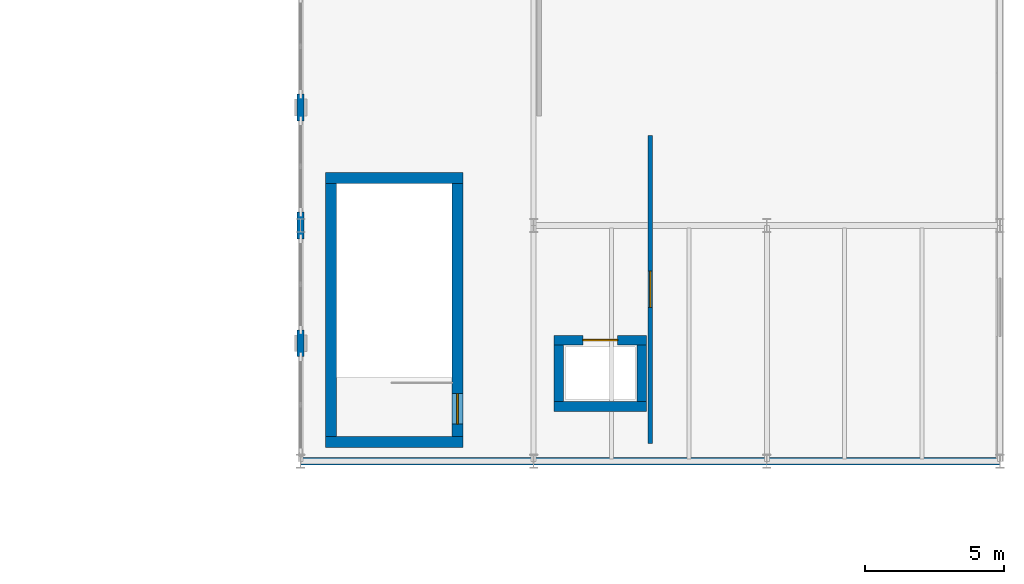
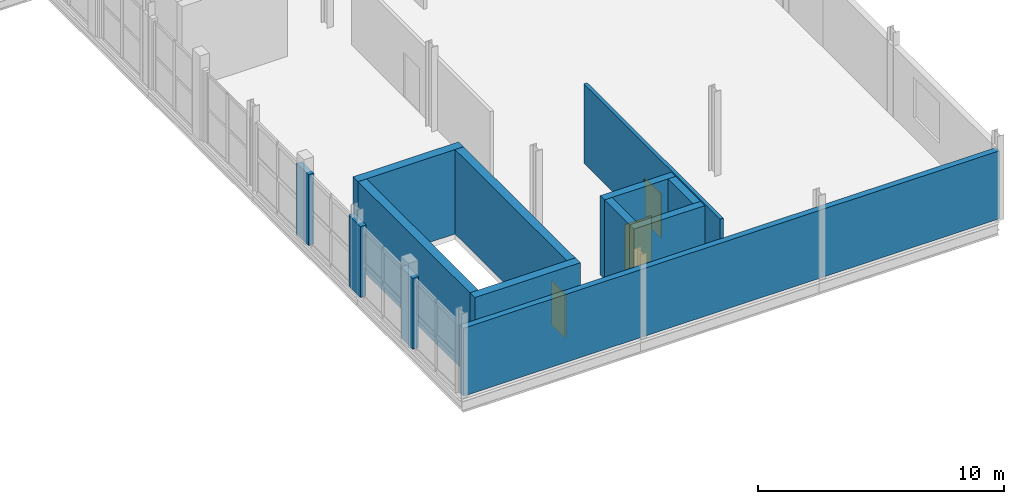
# One storey, part 30 of 45: 13 walls, 3 doors, 3 openings.
"""IFC4 building model written with IfcOpenShell, lengths in metres."""

from ifc_helpers import new_model, si_unit, direction, frame, frame_2d, origin, place, context, subcontext, project, spatial, rectangle, extrude, material, layer, layer_set, type_object, element, fill, save


model = new_model("IFC4")

# Units and contexts
model_context = context("Model", 3, precision=1e-05, world=origin(), true_north=direction((0.0, 1.0)))
body_context = subcontext(model_context, "Body", "Model", "MODEL_VIEW")
ifc_project = project(units=[si_unit("LENGTHUNIT", "METRE"), si_unit("AREAUNIT", "SQUARE_METRE"), si_unit("VOLUMEUNIT", "CUBIC_METRE"), si_unit("PLANEANGLEUNIT", "RADIAN"), si_unit("MASSUNIT", "GRAM", prefix="KILO")], contexts=[model_context])

# Site, building, storey
site_placement = place(None, origin())
site = spatial("IfcSite", under=ifc_project, at=site_placement, CompositionType="ELEMENT")
building_placement = place(site_placement, origin())
building = spatial("IfcBuilding", under=site, at=building_placement, Name="Sefraquen Railside Congress Hotel", CompositionType="ELEMENT")
storey_placement = place(building_placement, frame((0.0, 0.0, 20.39990234375)))
storey = spatial("IfcBuildingStorey", under=building, at=storey_placement, Name="L04", CompositionType="ELEMENT", Elevation=20.39990234375)

# Wall, opening, door
ifc_material_1 = material(Name="Concrete C50/60", Category="concrete")
ifc_layer_1 = layer(ifc_material_1, 0.35009765625)
ifc_layer_set_1 = layer_set([ifc_layer_1], Name="Concrete C50/60")
wall_type_1 = type_object("IfcWallType", Name="TW-CW-350", PredefinedType="SHEAR", material=ifc_layer_set_1)
wall_1_placement = place(storey_placement, frame((112.330078125, 58.364990234375, 0.0), z_axis=(0.0, 0.0, 1.0), x_axis=(1.0, 0.0, 0.0)))
wall_1 = element("IfcWall", 1, at=wall_1_placement, inside=storey, type_object=wall_type_1, Name="Lift SL-01 shaft wall N L04", PredefinedType="SHEAR", context=body_context, shape_type="SweptSolid", body=[
    extrude(rectangle(XDim=3.33984375, YDim=0.35009765625, at=frame_2d((1.669921875, 0.0))), origin(), (0.0, 0.0, 1.0), 3.940185546875),
])
opening_1_placement = place(wall_1_placement, frame((1.044921875, 0.0, 0.0)))
opening_1 = element("IfcOpeningElement", 2, at=opening_1_placement, cuts=wall_1, Name="Opening LD-02", PredefinedType="OPENING", context=body_context, shape_type="SweptSolid", body=[
    extrude(rectangle(XDim=1.25, YDim=2.25, at=frame_2d((0.625, 1.125))), frame((0.0, 0.18505859375, 0.0), z_axis=(0.0, -1.0, 0.0), x_axis=(1.0, 0.0, 0.0)), (0.0, 0.0, 1.0), 0.3701171875),
])
ifc_material_2 = material(Name="Brushed stainless steel", Category="steel")
door_type_1 = type_object("IfcDoorType", Name="TD-LD-02", OperationType="NOTDEFINED", PredefinedType="DOOR", material=ifc_material_2)
door_1_placement = place(opening_1_placement, origin())
door_1 = element("IfcDoor", 3, at=door_1_placement, inside=storey, type_object=door_type_1, Name="Lift landing door SL-01 L04", OperationType="SLIDING_TO_LEFT", OverallHeight=2.25, OverallWidth=1.25, PredefinedType="DOOR", context=body_context, shape_type="SweptSolid", body=[
    extrude(rectangle(XDim=1.25, YDim=2.25, at=frame_2d((0.625, 1.125))), frame((0.0, 0.02490234375, 0.0), z_axis=(0.0, -1.0, 0.0), x_axis=(1.0, 0.0, 0.0)), (0.0, 0.0, 1.0), 0.050048828125),
])
fill(opening_1, door_1)

# Walls
wall_2_placement = place(storey_placement, frame((112.330078125, 55.97509765625, 0.0), z_axis=(0.0, 0.0, 1.0), x_axis=(1.0, 0.0, 0.0)))
element("IfcWall", 4, at=wall_2_placement, inside=storey, type_object=wall_type_1, Name="Lift SL-01 shaft wall S L04", PredefinedType="SHEAR", context=body_context, shape_type="SweptSolid", body=[
    extrude(rectangle(XDim=3.33984375, YDim=0.35009765625, at=frame_2d((1.669921875, 0.0))), origin(), (0.0, 0.0, 1.0), 3.940185546875),
])
for number, where, z_axis, x_axis, name in (
    (5, (112.5048828125, 56.14990234375, 0.0), (0.0, 0.0, 1.0), (0.0, 1.0, 0.0), "Lift SL-01 shaft wall W L04"),
    (6, (115.4951171875, 56.14990234375, 0.0), (0.0, 0.0, 1.0), (0.0, 1.0, 0.0), "Lift SL-01 shaft wall E L04"),
):
    element("IfcWall", number, at=place(storey_placement, frame(where, z_axis=z_axis, x_axis=x_axis)), inside=storey, type_object=wall_type_1, Name=name, PredefinedType="SHEAR", context=body_context, shape_type="SweptSolid", body=[
        extrude(rectangle(XDim=2.0400390625, YDim=0.35009765625, at=frame_2d((1.02001953125, 0.0))), origin(), (0.0, 0.0, 1.0), 3.940185546875),
    ])
ifc_layer_2 = layer(ifc_material_1, 0.39990234375)
ifc_layer_set_2 = layer_set([ifc_layer_2], Name="Concrete C50/60")
wall_type_2 = type_object("IfcWallType", Name="TW-CW-400", PredefinedType="SHEAR", material=ifc_layer_set_2)
for number, where, z_axis, x_axis, name in (
    (7, (104.10009765625, 64.2119140625, 0.0), (0.0, 0.0, 1.0), (1.0, 0.0, 0.0), "Core shear wall ST-M02 N L04"),
    (8, (104.10009765625, 54.699951171875, 0.0), (0.0, 0.0, 1.0), (1.0, 0.0, 0.0), "Core shear wall ST-M02 S L04"),
):
    element("IfcWall", number, at=place(storey_placement, frame(where, z_axis=z_axis, x_axis=x_axis)), inside=storey, type_object=wall_type_2, Name=name, PredefinedType="SHEAR", context=body_context, shape_type="SweptSolid", body=[
        extrude(rectangle(XDim=4.9599609375, YDim=0.39990234375, at=frame_2d((2.47998046875, 0.0))), origin(), (0.0, 0.0, 1.0), 4.2001953125),
    ])
wall_3_placement = place(storey_placement, frame((104.300048828125, 54.89990234375, 0.0), z_axis=(0.0, 0.0, 1.0), x_axis=(0.0, 1.0, 0.0)))
element("IfcWall", 9, at=wall_3_placement, inside=storey, type_object=wall_type_2, Name="Core shear wall ST-M02 W L04", PredefinedType="SHEAR", context=body_context, shape_type="SweptSolid", body=[
    extrude(rectangle(XDim=9.112060546875, YDim=0.39990234375, at=frame_2d((4.55615234375, 0.0))), origin(), (0.0, 0.0, 1.0), 4.2001953125),
])

# Wall, opening, door
wall_4_placement = place(storey_placement, frame((108.860107421875, 54.89990234375, 0.0), z_axis=(0.0, 0.0, 1.0), x_axis=(0.0, 1.0, 0.0)))
wall_4 = element("IfcWall", 10, at=wall_4_placement, inside=storey, type_object=wall_type_2, Name="Core shear wall ST-M02 E L04", PredefinedType="SHEAR", context=body_context, shape_type="SweptSolid", body=[
    extrude(rectangle(XDim=9.112060546875, YDim=0.39990234375, at=frame_2d((4.55615234375, 0.0))), origin(), (0.0, 0.0, 1.0), 4.2001953125),
])
opening_2_placement = place(wall_4_placement, frame((0.43994140625, 0.0, 0.0)))
opening_2 = element("IfcOpeningElement", 11, at=opening_2_placement, cuts=wall_4, Name="Opening FD-04", PredefinedType="OPENING", context=body_context, shape_type="SweptSolid", body=[
    extrude(rectangle(XDim=1.10009765625, YDim=2.199951171875, at=frame_2d((0.550048828125, 1.10009765625))), frame((0.0, 0.2099609375, 0.0), z_axis=(0.0, -1.0, 0.0), x_axis=(1.0, 0.0, 0.0)), (0.0, 0.0, 1.0), 0.419921875),
])
ifc_material_3 = material(Name="Fire-rated steel", Category="steel")
door_type_2 = type_object("IfcDoorType", Name="TD-FD-04", OperationType="NOTDEFINED", PredefinedType="DOOR", material=ifc_material_3)
door_2_placement = place(opening_2_placement, origin())
door_2 = element("IfcDoor", 12, at=door_2_placement, inside=storey, type_object=door_type_2, Name="Pressurized stair ST-M02 fire door L04", OperationType="SINGLE_SWING_RIGHT", OverallHeight=2.199951171875, OverallWidth=1.10009765625, PredefinedType="DOOR", context=body_context, shape_type="SweptSolid", body=[
    extrude(rectangle(XDim=1.10009765625, YDim=2.199951171875, at=frame_2d((0.550048828125, 1.10009765625))), frame((0.0, 0.02490234375, 0.0), z_axis=(0.0, -1.0, 0.0), x_axis=(1.0, 0.0, 0.0)), (0.0, 0.0, 1.0), 0.050048828125),
])
fill(opening_2, door_2)

# Walls
ifc_material_4 = material(Name="Ochre Rabat calcarenite limestone and Concrete C40/50 backing", Category="masonry")
ifc_layer_3 = layer(ifc_material_4, 0.280029296875)
ifc_layer_set_3 = layer_set([ifc_layer_3], Name="Ochre Rabat calcarenite limestone and Concrete C40/50 backing")
wall_type_3 = type_object("IfcWallType", Name="TW-EW-280", PredefinedType="STANDARD", material=ifc_layer_set_3)
for number, where, z_axis, x_axis, name in (
    (13, (103.199951171875, 57.77001953125, 0.0), (0.0, 0.0, 1.0), (0.0, 1.0, 0.0), "Meeting Wing L04 courtyard east curtain wall column pier closure 1"),
    (14, (103.199951171875, 62.02001953125, 0.0), (0.0, 0.0, 1.0), (0.0, 1.0, 0.0), "Meeting Wing L04 courtyard east curtain wall column pier closure 2"),
    (15, (103.199951171875, 66.27001953125, 0.0), (0.0, 0.0, 1.0), (0.0, 1.0, 0.0), "Meeting Wing L04 courtyard east curtain wall column pier closure 3"),
):
    element("IfcWall", number, at=place(storey_placement, frame(where, z_axis=z_axis, x_axis=x_axis)), inside=storey, type_object=wall_type_3, Name=name, PredefinedType="STANDARD", context=body_context, shape_type="SweptSolid", body=[
        extrude(rectangle(XDim=0.9599609375, YDim=0.260009765625, at=frame_2d((0.47998046875, 0.0))), origin(), (0.0, 0.0, 1.0), 3.530029296875),
    ])
wall_5_placement = place(storey_placement, frame((103.199951171875, 54.0, 0.0), z_axis=(0.0, 0.0, 1.0), x_axis=(1.0, 0.0, 0.0)))
element("IfcWall", 16, at=wall_5_placement, inside=storey, type_object=wall_type_3, Name="Meeting Wing L04 south facade wall", PredefinedType="STANDARD", context=body_context, shape_type="SweptSolid", body=[
    extrude(rectangle(XDim=25.199951171875, YDim=0.280029296875, at=frame_2d((12.60009765625, 0.0))), origin(), (0.0, 0.0, 1.0), 3.380126953125),
])

# Wall, opening, door
ifc_material_5 = material(Name="Moisture-resistant gypsum board", Category="gypsum")
ifc_layer_4 = layer(ifc_material_5, 0.159912109375)
ifc_layer_set_4 = layer_set([ifc_layer_4], Name="Moisture-resistant gypsum board")
wall_type_4 = type_object("IfcWallType", Name="TW-PW-160", PredefinedType="PARTITIONING", material=ifc_layer_set_4)
wall_6_placement = place(storey_placement, frame((115.800048828125, 54.64990234375, 0.0), z_axis=(0.0, 0.0, 1.0), x_axis=(0.0, 1.0, 0.0)))
wall_6 = element("IfcWall", 17, at=wall_6_placement, inside=storey, type_object=wall_type_4, Name="Seminar Suite 06 enclosure wall", PredefinedType="PARTITIONING", context=body_context, shape_type="SweptSolid", body=[
    extrude(rectangle(XDim=11.10009765625, YDim=0.159912109375, at=frame_2d((5.550048828125, 0.0))), origin(), (0.0, 0.0, 1.0), 3.940185546875),
])
opening_3_placement = place(wall_6_placement, frame((4.89990234375, 0.0, 0.0)))
opening_3 = element("IfcOpeningElement", 18, at=opening_3_placement, cuts=wall_6, Name="Opening MD-02", PredefinedType="OPENING", context=body_context, shape_type="SweptSolid", body=[
    extrude(rectangle(XDim=1.300048828125, YDim=2.199951171875, at=frame_2d((0.64990234375, 1.10009765625))), frame((0.0, 0.08984375, 0.0), z_axis=(0.0, -1.0, 0.0), x_axis=(1.0, 0.0, 0.0)), (0.0, 0.0, 1.0), 0.179931640625),
])
ifc_material_6 = material(Name="Acoustic cedar veneer", Category="wood")
door_type_3 = type_object("IfcDoorType", Name="TD-MD-02", OperationType="NOTDEFINED", PredefinedType="DOOR", material=ifc_material_6)
door_3_placement = place(opening_3_placement, origin())
door_3 = element("IfcDoor", 19, at=door_3_placement, inside=storey, type_object=door_type_3, Name="Seminar Suite 06 entrance door", OperationType="SINGLE_SWING_LEFT", OverallHeight=2.199951171875, OverallWidth=1.300048828125, PredefinedType="DOOR", context=body_context, shape_type="SweptSolid", body=[
    extrude(rectangle(XDim=1.300048828125, YDim=2.199951171875, at=frame_2d((0.64990234375, 1.10009765625))), frame((0.0, 0.02490234375, 0.0), z_axis=(0.0, -1.0, 0.0), x_axis=(1.0, 0.0, 0.0)), (0.0, 0.0, 1.0), 0.050048828125),
])
fill(opening_3, door_3)

save(model, "model.ifc")
